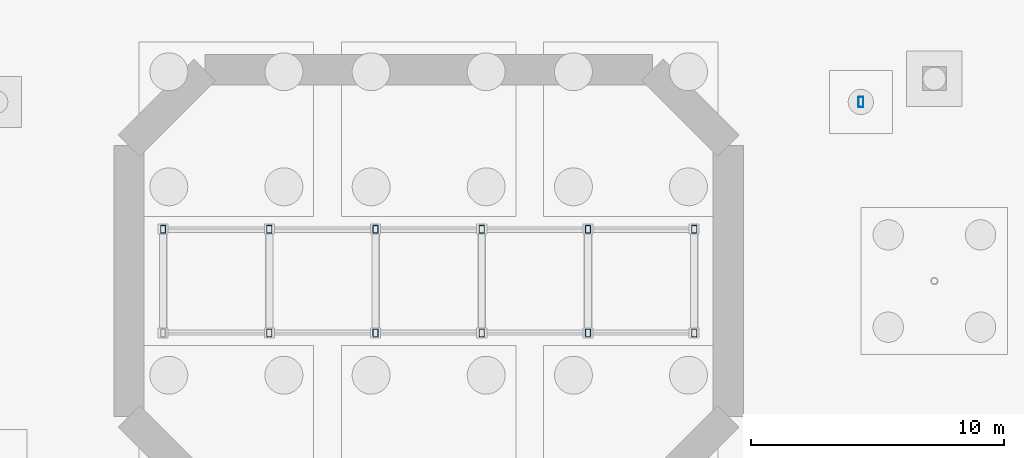
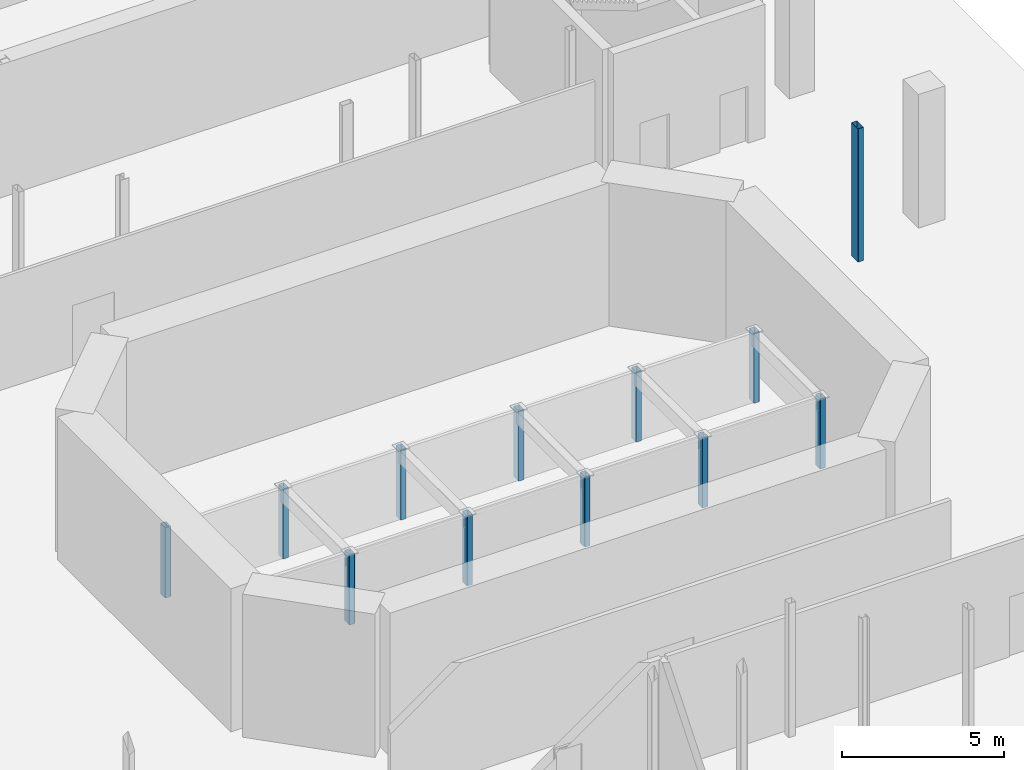
# One storey, part 11 of 33: 12 columns.
"""IFC4 building model written with IfcOpenShell, lengths in metres."""

from ifc_helpers import new_model, si_unit, direction, frame, origin, origin_2d, place, context, subcontext, project, spatial, hollow_rectangle, extrude, material, material_profile, profile_set, type_object, element, save


model = new_model("IFC4")

# Units and contexts
model_context = context("Model", 3, precision=1e-05, world=origin(), true_north=direction((0.0, 1.0)))
body_context = subcontext(model_context, "Body", "Model", "MODEL_VIEW")
ifc_project = project(units=[si_unit("LENGTHUNIT", "METRE"), si_unit("AREAUNIT", "SQUARE_METRE"), si_unit("VOLUMEUNIT", "CUBIC_METRE"), si_unit("PLANEANGLEUNIT", "RADIAN"), si_unit("MASSUNIT", "GRAM", prefix="KILO")], contexts=[model_context])

# Site, building, storey
site_placement = place(None, origin())
site = spatial("IfcSite", under=ifc_project, at=site_placement, CompositionType="ELEMENT")
building_placement = place(site_placement, origin())
building = spatial("IfcBuilding", under=site, at=building_placement, Name="Brisemont Oceanarium", CompositionType="ELEMENT")
storey_placement = place(building_placement, frame((0.0, 0.0, -5.39990234375)))
storey = spatial("IfcBuildingStorey", under=building, at=storey_placement, Name="B01", CompositionType="ELEMENT", Elevation=-5.39990234375)

# Columns
ifc_material_1 = material(Name="Structural Steel ASTM A500 Gr.C", Category="steel")
ifc_material_profile_1 = material_profile(ifc_material_1, hollow_rectangle(XDim=0.202880859375, YDim=0.304931640625, WallThickness=0.0087890625, InnerFilletRadius=0.009033203125, OuterFilletRadius=0.01806640625, at=origin_2d()), Name="HSS12X8X3/8")
ifc_profile_set_1 = profile_set([ifc_material_profile_1], Name="Structural Steel ASTM A500 Gr.C")
column_type_1 = type_object("IfcColumnType", Name="COL-HSS12X8", PredefinedType="COLUMN", material=ifc_profile_set_1)
for number, where, z_axis, x_axis, name in (
    (1, (73.5, 58.050048828125, 0.0), (0.0, 0.0, 1.0), (1.0, 0.0, 0.0), "Walkthrough tunnel portal post 1N"),
    (2, (77.699951171875, 53.949951171875, 0.0), (0.0, 0.0, 1.0), (1.0, 0.0, 0.0), "Walkthrough tunnel portal post 2S"),
    (3, (77.699951171875, 58.050048828125, 0.0), (0.0, 0.0, 1.0), (1.0, 0.0, 0.0), "Walkthrough tunnel portal post 2N"),
    (4, (81.89990234375, 53.949951171875, 0.0), (0.0, 0.0, 1.0), (1.0, 0.0, 0.0), "Walkthrough tunnel portal post 3S"),
    (5, (81.89990234375, 58.050048828125, 0.0), (0.0, 0.0, 1.0), (1.0, 0.0, 0.0), "Walkthrough tunnel portal post 3N"),
    (6, (86.10009765625, 53.949951171875, 0.0), (0.0, 0.0, 1.0), (1.0, 0.0, 0.0), "Walkthrough tunnel portal post 4S"),
    (7, (86.10009765625, 58.050048828125, 0.0), (0.0, 0.0, 1.0), (1.0, 0.0, 0.0), "Walkthrough tunnel portal post 4N"),
    (8, (90.300048828125, 53.949951171875, 0.0), (0.0, 0.0, 1.0), (1.0, 0.0, 0.0), "Walkthrough tunnel portal post 5S"),
    (9, (90.300048828125, 58.050048828125, 0.0), (0.0, 0.0, 1.0), (1.0, 0.0, 0.0), "Walkthrough tunnel portal post 5N"),
    (10, (94.5, 53.949951171875, 0.0), (0.0, 0.0, 1.0), (1.0, 0.0, 0.0), "Walkthrough tunnel portal post 6S"),
    (11, (94.5, 58.050048828125, 0.0), (0.0, 0.0, 1.0), (1.0, 0.0, 0.0), "Walkthrough tunnel portal post 6N"),
):
    element("IfcColumn", number, at=place(storey_placement, frame(where, z_axis=z_axis, x_axis=x_axis)), inside=storey, type_object=column_type_1, Name=name, PredefinedType="COLUMN", context=body_context, shape_type="SweptSolid", body=[
        extrude(hollow_rectangle(XDim=0.202880859375, YDim=0.304931640625, WallThickness=0.0087890625, InnerFilletRadius=0.009033203125, OuterFilletRadius=0.01806640625, at=origin_2d()), origin(), (0.0, 0.0, 1.0), 2.64990234375),
    ])
ifc_material_2 = material(Name="Structural Steel ASTM A500 Gr.C", Category="steel")
ifc_material_profile_2 = material_profile(ifc_material_2, hollow_rectangle(XDim=0.202880859375, YDim=0.406005859375, WallThickness=0.01171875, InnerFilletRadius=0.01220703125, OuterFilletRadius=0.02392578125, at=origin_2d()), Name="HSS16X8X1/2")
ifc_profile_set_2 = profile_set([ifc_material_profile_2], Name="Structural Steel ASTM A500 Gr.C")
column_type_2 = type_object("IfcColumnType", Name="COL-HSS16X8", PredefinedType="COLUMN", material=ifc_profile_set_2)
column_placement = place(storey_placement, frame((101.091796875, 63.07958984375, 0.0), z_axis=(0.0, 0.0, 1.0), x_axis=(1.0, 0.0, 0.0)))
element("IfcColumn", 12, at=column_placement, inside=storey, type_object=column_type_2, Name="V1 dome drum pier B01.1", PredefinedType="COLUMN", context=body_context, shape_type="SweptSolid", body=[
    extrude(hollow_rectangle(XDim=0.202880859375, YDim=0.406005859375, WallThickness=0.01171875, InnerFilletRadius=0.01220703125, OuterFilletRadius=0.02392578125, at=origin_2d()), origin(), (0.0, 0.0, 1.0), 5.02001953125),
])

save(model, "model.ifc")
